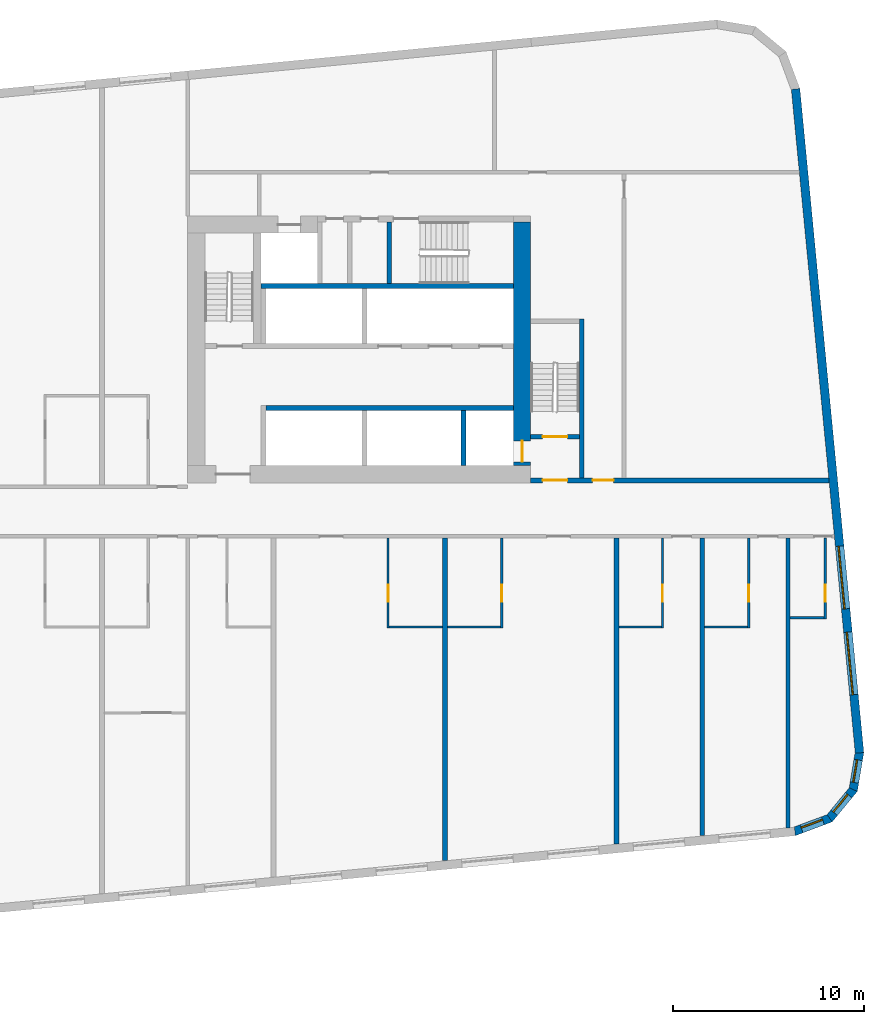
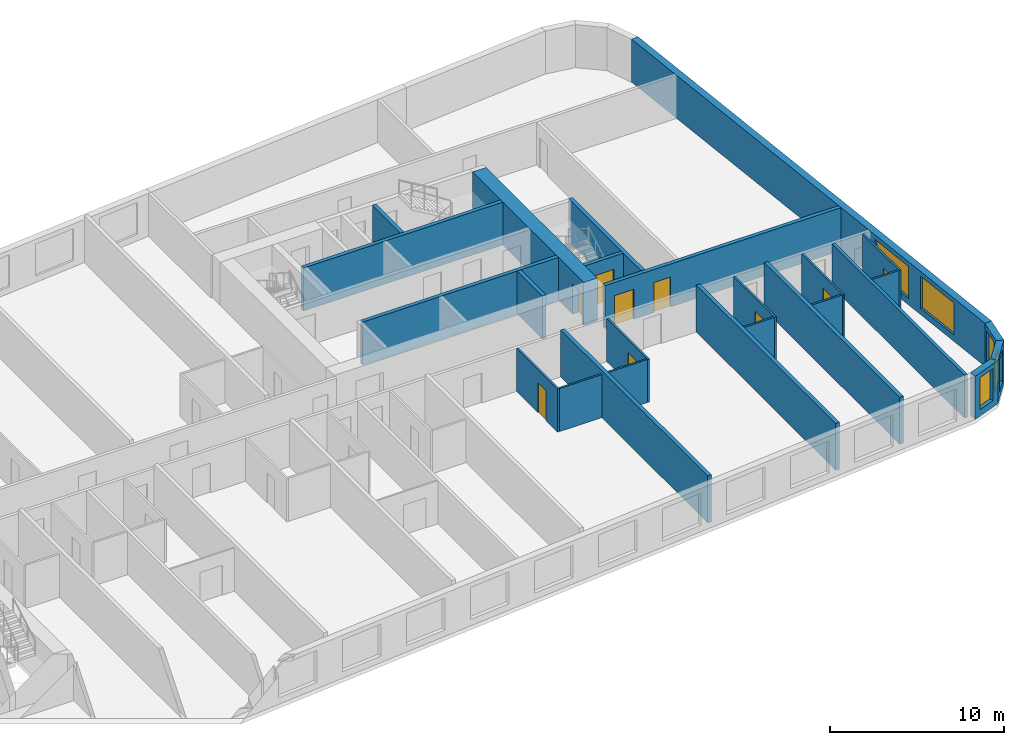
# One storey, part 7 of 12: 26 walls, 9 doors, 5 windows, 14 openings.
"""IFC4 building model written with IfcOpenShell, lengths in metres."""

from ifc_helpers import new_model, si_unit, direction, frame, frame_2d, origin, place, context, subcontext, project, spatial, polyline, rectangle, outline, extrude, material, layer, layer_set, type_object, element, fill, save


model = new_model("IFC4")

# Units and contexts
model_context = context("Model", 3, precision=1e-05, world=origin(), true_north=direction((0.0, 1.0)))
body_context = subcontext(model_context, "Body", "Model", "MODEL_VIEW")
ifc_project = project(units=[si_unit("LENGTHUNIT", "METRE"), si_unit("AREAUNIT", "SQUARE_METRE"), si_unit("VOLUMEUNIT", "CUBIC_METRE"), si_unit("PLANEANGLEUNIT", "RADIAN"), si_unit("MASSUNIT", "GRAM", prefix="KILO")], contexts=[model_context])

# Site, building, storey
site_placement = place(None, origin())
site = spatial("IfcSite", under=ifc_project, at=site_placement, CompositionType="ELEMENT")
building_placement = place(site_placement, origin())
building = spatial("IfcBuilding", under=site, at=building_placement, Name="Kajstack Hotel Tower", CompositionType="ELEMENT")
storey_placement = place(building_placement, frame((0.0, 0.0, 114.10009765625)))
storey = spatial("IfcBuildingStorey", under=building, at=storey_placement, Name="L24", CompositionType="ELEMENT", Elevation=114.10009765625)

# Wall, opening, door
ifc_material_1 = material(Name="Concrete C60/75", Category="concrete")
ifc_layer_1 = layer(ifc_material_1, 0.89990234375)
ifc_layer_set_1 = layer_set([ifc_layer_1], Name="Core wall 900")
wall_type_1 = type_object("IfcWallType", Name="Core wall 900", PredefinedType="SHEAR", material=ifc_layer_set_1)
wall_1_placement = place(storey_placement, frame((31.050048828125, 2.39990234375, 0.0), z_axis=(0.0, 0.0, 1.0), x_axis=(0.0, 1.0, 0.0)))
wall_1 = element("IfcWall", 1, at=wall_1_placement, inside=storey, type_object=wall_type_1, Name="Core wall E RW", PredefinedType="SHEAR", context=body_context, shape_type="SweptSolid", body=[
    extrude(rectangle(XDim=12.800048828125, YDim=0.89990234375, at=frame_2d((6.39990234375, 0.0))), origin(), (0.0, 0.0, 1.0), 3.02001953125),
])
opening_1_placement = place(wall_1_placement, frame((0.199951171875, 0.0, 0.0)))
opening_1 = element("IfcOpeningElement", 2, at=opening_1_placement, cuts=wall_1, Name="Opening LD-FF2", PredefinedType="OPENING", context=body_context, shape_type="SweptSolid", body=[
    extrude(rectangle(XDim=1.10009765625, YDim=2.10009765625, at=frame_2d((0.550048828125, 1.050048828125))), frame((0.0, 0.4599609375, 0.0), z_axis=(0.0, -1.0, 0.0), x_axis=(1.0, 0.0, 0.0)), (0.0, 0.0, 1.0), 0.919921875),
])
ifc_material_2 = material(Name="Stainless steel", Category="steel")
door_type_1 = type_object("IfcDoorType", Name="Fire-fighting lift landing door 1100", OperationType="SLIDING_TO_LEFT", PredefinedType="DOOR", material=ifc_material_2)
door_1_placement = place(opening_1_placement, origin())
door_1 = element("IfcDoor", 3, at=door_1_placement, inside=storey, type_object=door_type_1, Name="Landing door FF2", OperationType="SLIDING_TO_LEFT", OverallHeight=2.10009765625, OverallWidth=1.10009765625, PredefinedType="DOOR", context=body_context, shape_type="SweptSolid", body=[
    extrude(rectangle(XDim=1.10009765625, YDim=2.10009765625, at=frame_2d((0.550048828125, 1.050048828125))), frame((0.0, 0.02490234375, 0.0), z_axis=(0.0, -1.0, 0.0), x_axis=(1.0, 0.0, 0.0)), (0.0, 0.0, 1.0), 0.050048828125),
])
fill(opening_1, door_1)

# Wall
ifc_material_3 = material(Name="Twin-frame gypsum board on steel studs, mineral wool", Category="steel")
ifc_layer_2 = layer(ifc_material_3, 0.199951171875)
ifc_layer_set_2 = layer_set([ifc_layer_2], Name="Demising wall 200")
wall_type_2 = type_object("IfcWallType", Name="Demising wall 200", PredefinedType="PARTITIONING", material=ifc_layer_set_2)
wall_2_placement = place(storey_placement, frame((45.0, -16.59912109375, 0.0), z_axis=(0.0, 0.0, 1.0), x_axis=(0.0, 1.0, 0.0)))
element("IfcWall", 4, at=wall_2_placement, inside=storey, type_object=wall_type_2, Name="G-wall-L24-044", PredefinedType="PARTITIONING", context=body_context, shape_type="SweptSolid", body=[
    extrude(rectangle(XDim=15.19921875, YDim=0.199951171875, at=frame_2d((7.599609375, 0.0))), origin(), (0.0, 0.0, 1.0), 3.02001953125),
])

# Wall, opening, window
ifc_material_4 = material(Name="Terracotta-faced brick masonry", Category="masonry")
ifc_layer_3 = layer(ifc_material_4, 0.449951171875)
ifc_layer_set_3 = layer_set([ifc_layer_3], Name="EW-TERRA")
wall_type_3 = type_object("IfcWallType", Name="EW-TERRA", PredefinedType="SOLIDWALL", material=ifc_layer_set_3)
wall_3_placement = place(storey_placement, frame((45.300048828125, -16.804443359375, 0.0), z_axis=(0.0, 0.0, 1.0), x_axis=(0.936677599948, 0.350192909346, 0.0)))
wall_3 = element("IfcWall", 5, at=wall_3_placement, inside=storey, type_object=wall_type_3, Name="E-wall-L24-05-00", PredefinedType="SOLIDWALL", context=body_context, shape_type="SweptSolid", body=[
    extrude(outline(polyline([(0.0, -0.224853515625), (2.070556640625, -0.224853515625), (1.949951171875, 0.22509765625), (0.12060546875, 0.22509765625), (0.0, -0.224853515625)])), origin(), (0.0, 0.0, 1.0), 3.02001953125),
])
opening_2_placement = place(wall_3_placement, frame((0.435302734375, 0.0, 0.449951171875)))
opening_2 = element("IfcOpeningElement", 6, at=opening_2_placement, cuts=wall_3, Name="Opening W3", PredefinedType="OPENING", context=body_context, shape_type="SweptSolid", body=[
    extrude(rectangle(XDim=1.199951171875, YDim=2.25, at=frame_2d((0.60009765625, 1.125))), frame((0.0, 0.23486328125, 0.0), z_axis=(0.0, -1.0, 0.0), x_axis=(1.0, 0.0, 0.0)), (0.0, 0.0, 1.0), 0.469970703125),
])
ifc_material_5 = material(Name="Timber-aluminium window, triple glazed", Category="wood")
window_type_1 = type_object("IfcWindowType", Name="WG3", PartitioningType="SINGLE_PANEL", PredefinedType="WINDOW", material=ifc_material_5)
window_1_placement = place(opening_2_placement, origin())
window_1 = element("IfcWindow", 7, at=window_1_placement, inside=storey, type_object=window_type_1, Name="Window W3 L24-05", OverallHeight=2.25, OverallWidth=1.199951171875, PartitioningType="SINGLE_PANEL", PredefinedType="WINDOW", context=body_context, shape_type="SweptSolid", body=[
    extrude(rectangle(XDim=1.199951171875, YDim=2.25, at=frame_2d((0.60009765625, 1.125))), frame((0.0, 0.090087890625, 0.0), z_axis=(0.0, -1.0, 0.0), x_axis=(1.0, 0.0, 0.0)), (0.0, 0.0, 1.0), 0.06005859375),
])
fill(opening_2, window_1)

wall_4_placement = place(storey_placement, frame((47.144775390625, -16.14697265625, 0.0), z_axis=(0.0, 0.0, 1.0), x_axis=(0.635988241739, 0.771698747161, 0.0)))
wall_4 = element("IfcWall", 8, at=wall_4_placement, inside=storey, type_object=wall_type_3, Name="E-wall-L24-06-00", PredefinedType="SOLIDWALL", context=body_context, shape_type="SweptSolid", body=[
    extrude(outline(polyline([(0.0, -0.224853515625), (2.070556640625, -0.22509765625), (1.949951171875, 0.224853515625), (0.12060546875, 0.22509765625), (0.0, -0.224853515625)])), origin(), (0.0, 0.0, 1.0), 3.02001953125),
])
opening_3_placement = place(wall_4_placement, frame((0.435302734375, 0.0, 0.449951171875)))
opening_3 = element("IfcOpeningElement", 9, at=opening_3_placement, cuts=wall_4, Name="Opening W3", PredefinedType="OPENING", context=body_context, shape_type="SweptSolid", body=[
    extrude(rectangle(XDim=1.199951171875, YDim=2.25, at=frame_2d((0.60009765625, 1.125))), frame((0.0, 0.23486328125, 0.0), z_axis=(0.0, -1.0, 0.0), x_axis=(1.0, 0.0, 0.0)), (0.0, 0.0, 1.0), 0.469970703125),
])
window_2_placement = place(opening_3_placement, origin())
window_2 = element("IfcWindow", 10, at=window_2_placement, inside=storey, type_object=window_type_1, Name="Window W3 L24-06", OverallHeight=2.25, OverallWidth=1.199951171875, PartitioningType="SINGLE_PANEL", PredefinedType="WINDOW", context=body_context, shape_type="SweptSolid", body=[
    extrude(rectangle(XDim=1.199951171875, YDim=2.25, at=frame_2d((0.60009765625, 1.125))), frame((0.0, 0.090087890625, 0.0), z_axis=(0.0, -1.0, 0.0), x_axis=(1.0, 0.0, 0.0)), (0.0, 0.0, 1.0), 0.06005859375),
])
fill(opening_3, window_2)

wall_5_placement = place(storey_placement, frame((48.413330078125, -14.6552734375, 0.0), z_axis=(0.0, 0.0, 1.0), x_axis=(0.165068144653, 0.986282164302, 0.0)))
wall_5 = element("IfcWall", 11, at=wall_5_placement, inside=storey, type_object=wall_type_3, Name="E-wall-L24-07-00", PredefinedType="SOLIDWALL", context=body_context, shape_type="SweptSolid", body=[
    extrude(outline(polyline([(0.0, -0.22509765625), (2.07080078125, -0.224853515625), (1.9501953125, 0.22509765625), (0.12060546875, 0.224853515625), (0.0, -0.22509765625)])), origin(), (0.0, 0.0, 1.0), 3.02001953125),
])
opening_4_placement = place(wall_5_placement, frame((0.435302734375, 0.0, 0.449951171875)))
opening_4 = element("IfcOpeningElement", 12, at=opening_4_placement, cuts=wall_5, Name="Opening W3", PredefinedType="OPENING", context=body_context, shape_type="SweptSolid", body=[
    extrude(rectangle(XDim=1.199951171875, YDim=2.25, at=frame_2d((0.60009765625, 1.125))), frame((0.0, 0.23486328125, 0.0), z_axis=(0.0, -1.0, 0.0), x_axis=(1.0, 0.0, 0.0)), (0.0, 0.0, 1.0), 0.469970703125),
])
window_3_placement = place(opening_4_placement, origin())
window_3 = element("IfcWindow", 13, at=window_3_placement, inside=storey, type_object=window_type_1, Name="Window W3 L24-07", OverallHeight=2.25, OverallWidth=1.199951171875, PartitioningType="SINGLE_PANEL", PredefinedType="WINDOW", context=body_context, shape_type="SweptSolid", body=[
    extrude(rectangle(XDim=1.199951171875, YDim=2.25, at=frame_2d((0.60009765625, 1.125))), frame((0.0, 0.090087890625, 0.0), z_axis=(0.0, -1.0, 0.0), x_axis=(1.0, 0.0, 0.0)), (0.0, 0.0, 1.0), 0.06005859375),
])
fill(opening_4, window_3)

# Wall, openings, windows
wall_6_placement = place(storey_placement, frame((48.7529296875, -12.671630859375, 0.0), z_axis=(0.0, 0.0, 1.0), x_axis=(-0.095842661909, 0.995396495954, 0.0)))
wall_6 = element("IfcWall", 14, at=wall_6_placement, inside=storey, type_object=wall_type_3, Name="E-wall-L24-08-00", PredefinedType="SOLIDWALL", context=body_context, shape_type="SweptSolid", body=[
    extrude(rectangle(XDim=35.0, YDim=0.449951171875, at=frame_2d((17.5, 0.0))), origin(), (0.0, 0.0, 1.0), 3.02001953125),
])
opening_5_placement = place(wall_6_placement, frame((3.07177734375, 0.0, 0.449951171875)))
opening_5 = element("IfcOpeningElement", 15, at=opening_5_placement, cuts=wall_6, Name="Opening W2", PredefinedType="OPENING", context=body_context, shape_type="SweptSolid", body=[
    extrude(rectangle(XDim=3.300048828125, YDim=2.25, at=frame_2d((1.64990234375, 1.125))), frame((0.0, 0.23486328125, 0.0), z_axis=(0.0, -1.0, 0.0), x_axis=(1.0, 0.0, 0.0)), (0.0, 0.0, 1.0), 0.469970703125),
])
opening_6_placement = place(wall_6_placement, frame((7.592529296875, 0.0, 0.449951171875)))
opening_6 = element("IfcOpeningElement", 16, at=opening_6_placement, cuts=wall_6, Name="Opening W2", PredefinedType="OPENING", context=body_context, shape_type="SweptSolid", body=[
    extrude(rectangle(XDim=3.300048828125, YDim=2.25, at=frame_2d((1.64990234375, 1.125))), frame((0.0, 0.23486328125, 0.0), z_axis=(0.0, -1.0, 0.0), x_axis=(1.0, 0.0, 0.0)), (0.0, 0.0, 1.0), 0.469970703125),
])
window_type_2 = type_object("IfcWindowType", Name="WG2", PartitioningType="SINGLE_PANEL", PredefinedType="WINDOW", material=ifc_material_5)
window_4_placement = place(opening_5_placement, origin())
window_4 = element("IfcWindow", 17, at=window_4_placement, inside=storey, type_object=window_type_2, Name="Window W2 L24-08", OverallHeight=2.25, OverallWidth=3.300048828125, PartitioningType="SINGLE_PANEL", PredefinedType="WINDOW", context=body_context, shape_type="SweptSolid", body=[
    extrude(rectangle(XDim=3.300048828125, YDim=2.25, at=frame_2d((1.64990234375, 1.125))), frame((0.0, 0.090087890625, 0.0), z_axis=(0.0, -1.0, 0.0), x_axis=(1.0, 0.0, 0.0)), (0.0, 0.0, 1.0), 0.06005859375),
])
fill(opening_5, window_4)
window_5_placement = place(opening_6_placement, origin())
window_5 = element("IfcWindow", 18, at=window_5_placement, inside=storey, type_object=window_type_2, Name="Window W2 L24-08", OverallHeight=2.25, OverallWidth=3.300048828125, PartitioningType="SINGLE_PANEL", PredefinedType="WINDOW", context=body_context, shape_type="SweptSolid", body=[
    extrude(rectangle(XDim=3.300048828125, YDim=2.25, at=frame_2d((1.64990234375, 1.125))), frame((0.0, 0.090087890625, 0.0), z_axis=(0.0, -1.0, 0.0), x_axis=(1.0, 0.0, 0.0)), (0.0, 0.0, 1.0), 0.06005859375),
])
fill(opening_6, window_5)

# Wall, opening, door
ifc_material_6 = material(Name="Gypsum board and tiled backer on steel studs", Category="steel")
ifc_layer_4 = layer(ifc_material_6, 0.125)
ifc_layer_set_4 = layer_set([ifc_layer_4], Name="En-suite wall 125")
wall_type_4 = type_object("IfcWallType", Name="En-suite wall 125", PredefinedType="PARTITIONING", material=ifc_layer_set_4)
wall_7_placement = place(storey_placement, frame((24.011962890625, -6.125, 0.0), z_axis=(0.0, 0.0, 1.0), x_axis=(0.0, 1.0, 0.0)))
wall_7 = element("IfcWall", 19, at=wall_7_placement, inside=storey, type_object=wall_type_4, Name="G-wall-L24-038", PredefinedType="PARTITIONING", context=body_context, shape_type="SweptSolid", body=[
    extrude(rectangle(XDim=4.72509765625, YDim=0.125, at=frame_2d((2.362548828125, 0.0))), origin(), (0.0, 0.0, 1.0), 3.02001953125),
])
opening_7_placement = place(wall_7_placement, frame((1.375, 0.0, 0.0)))
opening_7 = element("IfcOpeningElement", 20, at=opening_7_placement, cuts=wall_7, Name="Opening 24032", PredefinedType="OPENING", context=body_context, shape_type="SweptSolid", body=[
    extrude(rectangle(XDim=0.89990234375, YDim=2.10009765625, at=frame_2d((0.449951171875, 1.050048828125))), frame((0.0, 0.072509765625, 0.0), z_axis=(0.0, -1.0, 0.0), x_axis=(1.0, 0.0, 0.0)), (0.0, 0.0, 1.0), 0.14501953125),
])
ifc_material_7 = material(Name="Painted timber door leaf", Category="wood")
door_type_2 = type_object("IfcDoorType", Name="Room door 900", OperationType="SINGLE_SWING_LEFT", PredefinedType="DOOR", material=ifc_material_7)
door_2_placement = place(opening_7_placement, origin())
door_2 = element("IfcDoor", 21, at=door_2_placement, inside=storey, type_object=door_type_2, Name="G-door-L24-32", OperationType="SINGLE_SWING_RIGHT", OverallHeight=2.10009765625, OverallWidth=0.89990234375, PredefinedType="DOOR", context=body_context, shape_type="SweptSolid", body=[
    extrude(rectangle(XDim=0.89990234375, YDim=2.10009765625, at=frame_2d((0.449951171875, 1.050048828125))), frame((0.0, 0.02490234375, 0.0), z_axis=(0.0, -1.0, 0.0), x_axis=(1.0, 0.0, 0.0)), (0.0, 0.0, 1.0), 0.050048828125),
])
fill(opening_7, door_2)

# Wall
wall_8_placement = place(storey_placement, frame((24.074951171875, -6.06201171875, 0.0), z_axis=(0.0, 0.0, 1.0), x_axis=(1.0, 0.0, 0.0)))
element("IfcWall", 22, at=wall_8_placement, inside=storey, type_object=wall_type_4, Name="G-wall-L24-039", PredefinedType="PARTITIONING", context=body_context, shape_type="SweptSolid", body=[
    extrude(rectangle(XDim=2.800048828125, YDim=0.125, at=frame_2d((1.39990234375, 0.0))), origin(), (0.0, 0.0, 1.0), 3.02001953125),
])

# Wall, opening, door
wall_9_placement = place(storey_placement, frame((29.988037109375, -6.125, 0.0), z_axis=(0.0, 0.0, 1.0), x_axis=(0.0, 1.0, 0.0)))
wall_9 = element("IfcWall", 23, at=wall_9_placement, inside=storey, type_object=wall_type_4, Name="G-wall-L24-040", PredefinedType="PARTITIONING", context=body_context, shape_type="SweptSolid", body=[
    extrude(rectangle(XDim=4.72509765625, YDim=0.125, at=frame_2d((2.362548828125, 0.0))), origin(), (0.0, 0.0, 1.0), 3.02001953125),
])
opening_8_placement = place(wall_9_placement, frame((1.375, 0.0, 0.0)))
opening_8 = element("IfcOpeningElement", 24, at=opening_8_placement, cuts=wall_9, Name="Opening 24034", PredefinedType="OPENING", context=body_context, shape_type="SweptSolid", body=[
    extrude(rectangle(XDim=0.89990234375, YDim=2.10009765625, at=frame_2d((0.449951171875, 1.050048828125))), frame((0.0, 0.072509765625, 0.0), z_axis=(0.0, -1.0, 0.0), x_axis=(1.0, 0.0, 0.0)), (0.0, 0.0, 1.0), 0.14501953125),
])
door_3_placement = place(opening_8_placement, origin())
door_3 = element("IfcDoor", 25, at=door_3_placement, inside=storey, type_object=door_type_2, Name="G-door-L24-34", OperationType="SINGLE_SWING_RIGHT", OverallHeight=2.10009765625, OverallWidth=0.89990234375, PredefinedType="DOOR", context=body_context, shape_type="SweptSolid", body=[
    extrude(rectangle(XDim=0.89990234375, YDim=2.10009765625, at=frame_2d((0.449951171875, 1.050048828125))), frame((0.0, 0.02490234375, 0.0), z_axis=(0.0, -1.0, 0.0), x_axis=(1.0, 0.0, 0.0)), (0.0, 0.0, 1.0), 0.050048828125),
])
fill(opening_8, door_3)

# Wall
wall_10_placement = place(storey_placement, frame((27.125, -6.06201171875, 0.0), z_axis=(0.0, 0.0, 1.0), x_axis=(1.0, 0.0, 0.0)))
element("IfcWall", 26, at=wall_10_placement, inside=storey, type_object=wall_type_4, Name="G-wall-L24-041", PredefinedType="PARTITIONING", context=body_context, shape_type="SweptSolid", body=[
    extrude(rectangle(XDim=2.800048828125, YDim=0.125, at=frame_2d((1.39990234375, 0.0))), origin(), (0.0, 0.0, 1.0), 3.02001953125),
])

# Wall, opening, door
wall_11_placement = place(storey_placement, frame((38.4130859375, -6.125, 0.0), z_axis=(0.0, 0.0, 1.0), x_axis=(0.0, 1.0, 0.0)))
wall_11 = element("IfcWall", 27, at=wall_11_placement, inside=storey, type_object=wall_type_4, Name="G-wall-L24-042", PredefinedType="PARTITIONING", context=body_context, shape_type="SweptSolid", body=[
    extrude(rectangle(XDim=4.72509765625, YDim=0.125, at=frame_2d((2.362548828125, 0.0))), origin(), (0.0, 0.0, 1.0), 3.02001953125),
])
opening_9_placement = place(wall_11_placement, frame((1.375, 0.0, 0.0)))
opening_9 = element("IfcOpeningElement", 28, at=opening_9_placement, cuts=wall_11, Name="Opening 24036", PredefinedType="OPENING", context=body_context, shape_type="SweptSolid", body=[
    extrude(rectangle(XDim=0.89990234375, YDim=2.10009765625, at=frame_2d((0.449951171875, 1.050048828125))), frame((0.0, 0.072509765625, 0.0), z_axis=(0.0, -1.0, 0.0), x_axis=(1.0, 0.0, 0.0)), (0.0, 0.0, 1.0), 0.14501953125),
])
door_4_placement = place(opening_9_placement, origin())
door_4 = element("IfcDoor", 29, at=door_4_placement, inside=storey, type_object=door_type_2, Name="G-door-L24-36", OperationType="SINGLE_SWING_RIGHT", OverallHeight=2.10009765625, OverallWidth=0.89990234375, PredefinedType="DOOR", context=body_context, shape_type="SweptSolid", body=[
    extrude(rectangle(XDim=0.89990234375, YDim=2.10009765625, at=frame_2d((0.449951171875, 1.050048828125))), frame((0.0, 0.02490234375, 0.0), z_axis=(0.0, -1.0, 0.0), x_axis=(1.0, 0.0, 0.0)), (0.0, 0.0, 1.0), 0.050048828125),
])
fill(opening_9, door_4)

# Wall
wall_12_placement = place(storey_placement, frame((36.125, -6.06201171875, 0.0), z_axis=(0.0, 0.0, 1.0), x_axis=(1.0, 0.0, 0.0)))
element("IfcWall", 30, at=wall_12_placement, inside=storey, type_object=wall_type_4, Name="G-wall-L24-043", PredefinedType="PARTITIONING", context=body_context, shape_type="SweptSolid", body=[
    extrude(rectangle(XDim=2.22509765625, YDim=0.125, at=frame_2d((1.112548828125, 0.0))), origin(), (0.0, 0.0, 1.0), 3.02001953125),
])

# Wall, opening, door
wall_13_placement = place(storey_placement, frame((42.93798828125, -6.125, 0.0), z_axis=(0.0, 0.0, 1.0), x_axis=(0.0, 1.0, 0.0)))
wall_13 = element("IfcWall", 31, at=wall_13_placement, inside=storey, type_object=wall_type_4, Name="G-wall-L24-045", PredefinedType="PARTITIONING", context=body_context, shape_type="SweptSolid", body=[
    extrude(rectangle(XDim=4.72509765625, YDim=0.125, at=frame_2d((2.362548828125, 0.0))), origin(), (0.0, 0.0, 1.0), 3.02001953125),
])
opening_10_placement = place(wall_13_placement, frame((1.375, 0.0, 0.0)))
opening_10 = element("IfcOpeningElement", 32, at=opening_10_placement, cuts=wall_13, Name="Opening 24038", PredefinedType="OPENING", context=body_context, shape_type="SweptSolid", body=[
    extrude(rectangle(XDim=0.89990234375, YDim=2.10009765625, at=frame_2d((0.449951171875, 1.050048828125))), frame((0.0, 0.072509765625, 0.0), z_axis=(0.0, -1.0, 0.0), x_axis=(1.0, 0.0, 0.0)), (0.0, 0.0, 1.0), 0.14501953125),
])
door_5_placement = place(opening_10_placement, origin())
door_5 = element("IfcDoor", 33, at=door_5_placement, inside=storey, type_object=door_type_2, Name="G-door-L24-38", OperationType="SINGLE_SWING_LEFT", OverallHeight=2.10009765625, OverallWidth=0.89990234375, PredefinedType="DOOR", context=body_context, shape_type="SweptSolid", body=[
    extrude(rectangle(XDim=0.89990234375, YDim=2.10009765625, at=frame_2d((0.449951171875, 1.050048828125))), frame((0.0, 0.02490234375, 0.0), z_axis=(0.0, -1.0, 0.0), x_axis=(1.0, 0.0, 0.0)), (0.0, 0.0, 1.0), 0.050048828125),
])
fill(opening_10, door_5)

# Wall
wall_14_placement = place(storey_placement, frame((40.625, -6.06201171875, 0.0), z_axis=(0.0, 0.0, 1.0), x_axis=(1.0, 0.0, 0.0)))
element("IfcWall", 34, at=wall_14_placement, inside=storey, type_object=wall_type_4, Name="G-wall-L24-046", PredefinedType="PARTITIONING", context=body_context, shape_type="SweptSolid", body=[
    extrude(rectangle(XDim=2.25, YDim=0.125, at=frame_2d((1.125, 0.0))), origin(), (0.0, 0.0, 1.0), 3.02001953125),
])

# Wall, opening, door
wall_15_placement = place(storey_placement, frame((46.9619140625, -5.634033203125, 0.0), z_axis=(0.0, 0.0, 1.0), x_axis=(0.0, 1.0, 0.0)))
wall_15 = element("IfcWall", 35, at=wall_15_placement, inside=storey, type_object=wall_type_4, Name="G-wall-L24-047", PredefinedType="PARTITIONING", context=body_context, shape_type="SweptSolid", body=[
    extrude(rectangle(XDim=4.234130859375, YDim=0.125, at=frame_2d((2.1171875, 0.0))), origin(), (0.0, 0.0, 1.0), 3.02001953125),
])
opening_11_placement = place(wall_15_placement, frame((0.884033203125, 0.0, 0.0)))
opening_11 = element("IfcOpeningElement", 36, at=opening_11_placement, cuts=wall_15, Name="Opening 24040", PredefinedType="OPENING", context=body_context, shape_type="SweptSolid", body=[
    extrude(rectangle(XDim=0.89990234375, YDim=2.10009765625, at=frame_2d((0.449951171875, 1.050048828125))), frame((0.0, 0.072509765625, 0.0), z_axis=(0.0, -1.0, 0.0), x_axis=(1.0, 0.0, 0.0)), (0.0, 0.0, 1.0), 0.14501953125),
])
door_6_placement = place(opening_11_placement, origin())
door_6 = element("IfcDoor", 37, at=door_6_placement, inside=storey, type_object=door_type_2, Name="G-door-L24-40", OperationType="SINGLE_SWING_LEFT", OverallHeight=2.10009765625, OverallWidth=0.89990234375, PredefinedType="DOOR", context=body_context, shape_type="SweptSolid", body=[
    extrude(rectangle(XDim=0.89990234375, YDim=2.10009765625, at=frame_2d((0.449951171875, 1.050048828125))), frame((0.0, 0.02490234375, 0.0), z_axis=(0.0, -1.0, 0.0), x_axis=(1.0, 0.0, 0.0)), (0.0, 0.0, 1.0), 0.050048828125),
])
fill(opening_11, door_6)

# Walls
wall_16_placement = place(storey_placement, frame((45.10009765625, -5.572021484375, 0.0), z_axis=(0.0, 0.0, 1.0), x_axis=(1.0, 0.0, 0.0)))
element("IfcWall", 38, at=wall_16_placement, inside=storey, type_object=wall_type_4, Name="G-wall-L24-048", PredefinedType="PARTITIONING", context=body_context, shape_type="SweptSolid", body=[
    extrude(rectangle(XDim=1.7998046875, YDim=0.125, at=frame_2d((0.89990234375, 0.0))), origin(), (0.0, 0.0, 1.0), 3.02001953125),
])
ifc_material_8 = material(Name="Concrete C55/67", Category="concrete")
ifc_layer_5 = layer(ifc_material_8, 0.25)
ifc_layer_set_5 = layer_set([ifc_layer_5], Name="RC cross wall 250 C55/67")
wall_type_5 = type_object("IfcWallType", Name="RC cross wall 250 C55/67", PredefinedType="SHEAR", material=ifc_layer_set_5)
wall_17_placement = place(storey_placement, frame((27.0, -18.310546875, 0.0), z_axis=(0.0, 0.0, 1.0), x_axis=(0.0, 1.0, 0.0)))
element("IfcWall", 39, at=wall_17_placement, inside=storey, type_object=wall_type_5, Name="S-wall-L24-11", PredefinedType="SHEAR", context=body_context, shape_type="SweptSolid", body=[
    extrude(rectangle(XDim=16.91064453125, YDim=0.25, at=frame_2d((8.455322265625, 0.0))), origin(), (0.0, 0.0, 1.0), 3.2998046875),
])
wall_18_placement = place(storey_placement, frame((36.0, -17.444091796875, 0.0), z_axis=(0.0, 0.0, 1.0), x_axis=(0.0, 1.0, 0.0)))
element("IfcWall", 40, at=wall_18_placement, inside=storey, type_object=wall_type_5, Name="S-wall-L24-12", PredefinedType="SHEAR", context=body_context, shape_type="SweptSolid", body=[
    extrude(rectangle(XDim=16.044189453125, YDim=0.25, at=frame_2d((8.02197265625, 0.0))), origin(), (0.0, 0.0, 1.0), 3.2998046875),
])
wall_19_placement = place(storey_placement, frame((40.5, -17.0107421875, 0.0), z_axis=(0.0, 0.0, 1.0), x_axis=(0.0, 1.0, 0.0)))
element("IfcWall", 41, at=wall_19_placement, inside=storey, type_object=wall_type_5, Name="S-wall-L24-13", PredefinedType="SHEAR", context=body_context, shape_type="SweptSolid", body=[
    extrude(rectangle(XDim=15.61083984375, YDim=0.25, at=frame_2d((7.805419921875, 0.0))), origin(), (0.0, 0.0, 1.0), 3.2998046875),
])

# Wall, openings, doors
ifc_material_9 = material(Name="Gypsum board on steel studs, mineral wool", Category="steel")
ifc_layer_6 = layer(ifc_material_9, 0.199951171875)
ifc_layer_set_6 = layer_set([ifc_layer_6], Name="Service partition 200")
wall_type_6 = type_object("IfcWallType", Name="Service partition 200", PredefinedType="PARTITIONING", material=ifc_layer_set_6)
wall_20_placement = place(storey_placement, frame((31.5, 1.625, 0.0), z_axis=(0.0, 0.0, 1.0), x_axis=(1.0, 0.0, 0.0)))
wall_20 = element("IfcWall", 42, at=wall_20_placement, inside=storey, type_object=wall_type_6, Name="Partition E SN", PredefinedType="PARTITIONING", context=body_context, shape_type="SweptSolid", body=[
    extrude(rectangle(XDim=15.650390625, YDim=0.25, at=frame_2d((7.8251953125, 0.0))), origin(), (0.0, 0.0, 1.0), 3.02001953125),
])
opening_12_placement = place(wall_20_placement, frame((0.625, 0.0, 0.0)))
opening_12 = element("IfcOpeningElement", 43, at=opening_12_placement, cuts=wall_20, Name="Opening 24E07", PredefinedType="OPENING", context=body_context, shape_type="SweptSolid", body=[
    extrude(rectangle(XDim=1.300048828125, YDim=2.10009765625, at=frame_2d((0.64990234375, 1.050048828125))), frame((0.0, 0.135009765625, 0.0), z_axis=(0.0, -1.0, 0.0), x_axis=(1.0, 0.0, 0.0)), (0.0, 0.0, 1.0), 0.27001953125),
])
opening_13_placement = place(wall_20_placement, frame((3.25, 0.0, 0.0)))
opening_13 = element("IfcOpeningElement", 44, at=opening_13_placement, cuts=wall_20, Name="Opening 24E09", PredefinedType="OPENING", context=body_context, shape_type="SweptSolid", body=[
    extrude(rectangle(XDim=1.10009765625, YDim=2.10009765625, at=frame_2d((0.550048828125, 1.050048828125))), frame((0.0, 0.135009765625, 0.0), z_axis=(0.0, -1.0, 0.0), x_axis=(1.0, 0.0, 0.0)), (0.0, 0.0, 1.0), 0.27001953125),
])
ifc_material_10 = material(Name="Steel leaf, fire-rated", Category="steel")
door_type_3 = type_object("IfcDoorType", Name="Fire lobby door 1300", OperationType="SINGLE_SWING_LEFT", PredefinedType="DOOR", material=ifc_material_10)
door_7_placement = place(opening_12_placement, origin())
door_7 = element("IfcDoor", 45, at=door_7_placement, inside=storey, type_object=door_type_3, Name="Door 24E07", OperationType="SINGLE_SWING_LEFT", OverallHeight=2.10009765625, OverallWidth=1.300048828125, PredefinedType="DOOR", context=body_context, shape_type="SweptSolid", body=[
    extrude(rectangle(XDim=1.300048828125, YDim=2.10009765625, at=frame_2d((0.64990234375, 1.050048828125))), frame((0.0, 0.02490234375, 0.0), z_axis=(0.0, -1.0, 0.0), x_axis=(1.0, 0.0, 0.0)), (0.0, 0.0, 1.0), 0.050048828125),
])
fill(opening_12, door_7)
ifc_material_11 = material(Name="Timber leaf, fire-rated", Category="wood")
door_type_4 = type_object("IfcDoorType", Name="Service corridor door 1100", OperationType="SINGLE_SWING_LEFT", PredefinedType="DOOR", material=ifc_material_11)
door_8_placement = place(opening_13_placement, origin())
door_8 = element("IfcDoor", 46, at=door_8_placement, inside=storey, type_object=door_type_4, Name="Door 24E09", OperationType="SINGLE_SWING_LEFT", OverallHeight=2.10009765625, OverallWidth=1.10009765625, PredefinedType="DOOR", context=body_context, shape_type="SweptSolid", body=[
    extrude(rectangle(XDim=1.10009765625, YDim=2.10009765625, at=frame_2d((0.550048828125, 1.050048828125))), frame((0.0, 0.02490234375, 0.0), z_axis=(0.0, -1.0, 0.0), x_axis=(1.0, 0.0, 0.0)), (0.0, 0.0, 1.0), 0.050048828125),
])
fill(opening_13, door_8)

# Walls
ifc_material_12 = material(Name="Concrete C50/60", Category="concrete")
ifc_layer_7 = layer(ifc_material_12, 0.25)
ifc_layer_set_7 = layer_set([ifc_layer_7], Name="Shaft wall 250")
wall_type_7 = type_object("IfcWallType", Name="Shaft wall 250", PredefinedType="SHEAR", material=ifc_layer_set_7)
wall_21_placement = place(storey_placement, frame((17.60009765625, 5.425048828125, 0.0), z_axis=(0.0, 0.0, 1.0), x_axis=(1.0, 0.0, 0.0)))
element("IfcWall", 47, at=wall_21_placement, inside=storey, type_object=wall_type_7, Name="Core wall E FA", PredefinedType="SHEAR", context=body_context, shape_type="SweptSolid", body=[
    extrude(rectangle(XDim=13.0, YDim=0.25, at=frame_2d((6.5, 0.0))), origin(), (0.0, 0.0, 1.0), 3.02001953125),
])
wall_22_placement = place(storey_placement, frame((27.97509765625, 2.39990234375, 0.0), z_axis=(0.0, 0.0, 1.0), x_axis=(0.0, 1.0, 0.0)))
element("IfcWall", 48, at=wall_22_placement, inside=storey, type_object=wall_type_7, Name="Core wall E AP0", PredefinedType="SHEAR", context=body_context, shape_type="SweptSolid", body=[
    extrude(rectangle(XDim=2.900146484375, YDim=0.25, at=frame_2d((1.4501953125, 0.0))), origin(), (0.0, 0.0, 1.0), 3.02001953125),
])
wall_23_placement = place(storey_placement, frame((17.35009765625, 11.824951171875, 0.0), z_axis=(0.0, 0.0, 1.0), x_axis=(1.0, 0.0, 0.0)))
element("IfcWall", 49, at=wall_23_placement, inside=storey, type_object=wall_type_7, Name="Core wall E RB", PredefinedType="SHEAR", context=body_context, shape_type="SweptSolid", body=[
    extrude(rectangle(XDim=13.25, YDim=0.25, at=frame_2d((6.625, 0.0))), origin(), (0.0, 0.0, 1.0), 3.02001953125),
])

# Wall, opening, door
ifc_material_13 = material(Name="Concrete C40/50", Category="concrete")
ifc_layer_8 = layer(ifc_material_13, 0.25)
ifc_layer_set_8 = layer_set([ifc_layer_8], Name="Stair enclosure wall 250")
wall_type_8 = type_object("IfcWallType", Name="Stair enclosure wall 250", PredefinedType="SHEAR", material=ifc_layer_set_8)
wall_24_placement = place(storey_placement, frame((31.5, 3.925048828125, 0.0), z_axis=(0.0, 0.0, 1.0), x_axis=(1.0, 0.0, 0.0)))
wall_24 = element("IfcWall", 50, at=wall_24_placement, inside=storey, type_object=wall_type_8, Name="Core wall E W1N", PredefinedType="SHEAR", context=body_context, shape_type="SweptSolid", body=[
    extrude(rectangle(XDim=2.550048828125, YDim=0.25, at=frame_2d((1.27490234375, 0.0))), origin(), (0.0, 0.0, 1.0), 3.02001953125),
])
opening_14_placement = place(wall_24_placement, frame((0.625, 0.0, 0.0)))
opening_14 = element("IfcOpeningElement", 51, at=opening_14_placement, cuts=wall_24, Name="Opening 24E08", PredefinedType="OPENING", context=body_context, shape_type="SweptSolid", body=[
    extrude(rectangle(XDim=1.300048828125, YDim=2.10009765625, at=frame_2d((0.64990234375, 1.050048828125))), frame((0.0, 0.135009765625, 0.0), z_axis=(0.0, -1.0, 0.0), x_axis=(1.0, 0.0, 0.0)), (0.0, 0.0, 1.0), 0.27001953125),
])
door_type_5 = type_object("IfcDoorType", Name="Stair door 1300", OperationType="SINGLE_SWING_LEFT", PredefinedType="DOOR", material=ifc_material_10)
door_9_placement = place(opening_14_placement, origin())
door_9 = element("IfcDoor", 52, at=door_9_placement, inside=storey, type_object=door_type_5, Name="Door 24E08", OperationType="SINGLE_SWING_LEFT", OverallHeight=2.10009765625, OverallWidth=1.300048828125, PredefinedType="DOOR", context=body_context, shape_type="SweptSolid", body=[
    extrude(rectangle(XDim=1.300048828125, YDim=2.10009765625, at=frame_2d((0.64990234375, 1.050048828125))), frame((0.0, 0.02490234375, 0.0), z_axis=(0.0, -1.0, 0.0), x_axis=(1.0, 0.0, 0.0)), (0.0, 0.0, 1.0), 0.050048828125),
])
fill(opening_14, door_9)

# Walls
wall_25_placement = place(storey_placement, frame((34.175048828125, 1.75, 0.0), z_axis=(0.0, 0.0, 1.0), x_axis=(0.0, 1.0, 0.0)))
element("IfcWall", 53, at=wall_25_placement, inside=storey, type_object=wall_type_8, Name="Core wall E W1W", PredefinedType="SHEAR", context=body_context, shape_type="SweptSolid", body=[
    extrude(rectangle(XDim=8.35009765625, YDim=0.25, at=frame_2d((4.175048828125, 0.0))), origin(), (0.0, 0.0, 1.0), 3.02001953125),
])
ifc_layer_9 = layer(ifc_material_12, 0.35009765625)
ifc_layer_set_9 = layer_set([ifc_layer_9], Name="Stair enclosure wall 350")
wall_type_9 = type_object("IfcWallType", Name="Stair enclosure wall 350", PredefinedType="SHEAR", material=ifc_layer_set_9)
wall_26_placement = place(storey_placement, frame((24.074951171875, 11.949951171875, 0.0), z_axis=(0.0, 0.0, 1.0), x_axis=(0.0, 1.0, 0.0)))
element("IfcWall", 54, at=wall_26_placement, inside=storey, type_object=wall_type_9, Name="Core wall E W3E", PredefinedType="SHEAR", context=body_context, shape_type="SweptSolid", body=[
    extrude(rectangle(XDim=3.25, YDim=0.25, at=frame_2d((1.625, 0.0))), origin(), (0.0, 0.0, 1.0), 3.02001953125),
])

save(model, "model.ifc")
